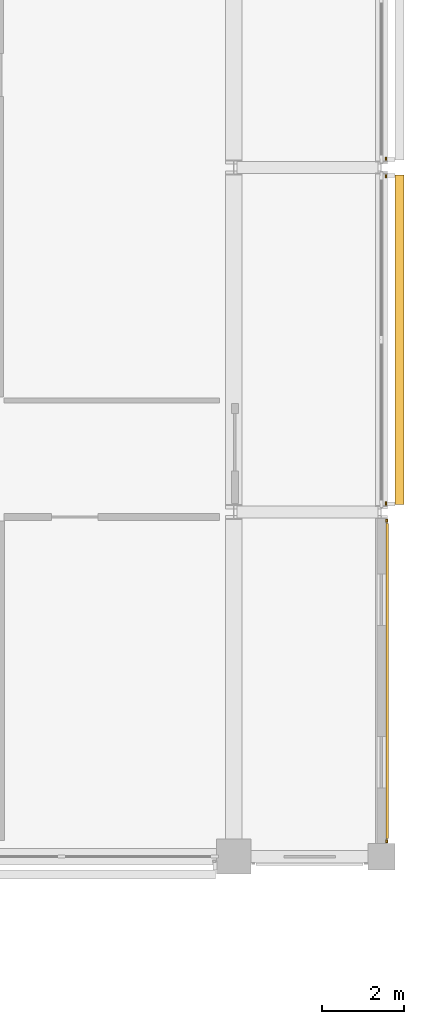
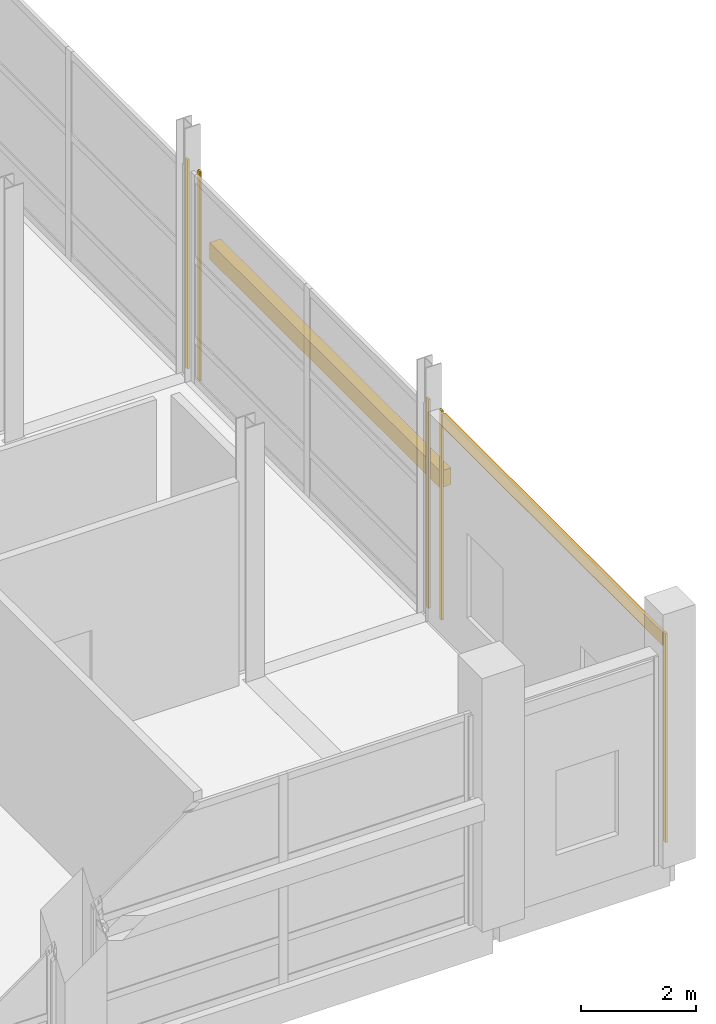
# One storey, part 136 of 140: 6 coverings, 1 shading device.
"""IFC4 building model written with IfcOpenShell, lengths in metres."""

import ifcopenshell
import ifcopenshell.guid

model = None  # the IFC model being written
_history = None  # IfcOwnerHistory: only IFC2X3 demands one
_inside = {}  # id of a spatial element -> (the spatial element, [elements in it])
_under = {}  # id of a project, library or spatial element -> (it, [spatial elements below it])
_declared = {}  # id of a project -> (the project, [libraries it declares])
_typed = {}  # id of a type object -> (the type object, [elements of that type])
_made_of = {}  # id of a material, layer set ... -> (it, [elements and type objects made of it])


def new_model(schema):
    """Start an empty IFC model of exactly this schema.

    Asked for "IFC4X3", IfcOpenShell would pick the latest addendum, in which some entities
    have other attributes; the version numbers below select the first issue.
    IFC2X3 requires an IfcOwnerHistory on every rooted entity: one is made here for all.
    """
    global model, _history
    if schema == "IFC4X3":
        model = ifcopenshell.file(schema_version=(4, 3, 0, 0))
    else:
        model = ifcopenshell.file(schema=schema)
    _inside.clear()
    _under.clear()
    _declared.clear()
    _typed.clear()
    _made_of.clear()
    _history = None
    if model.schema == "IFC2X3":
        org = make("IfcOrganization", Name="unknown")
        user = make(
            "IfcPersonAndOrganization",
            ThePerson=make("IfcPerson", FamilyName="unknown"),
            TheOrganization=org,
        )
        app = make(
            "IfcApplication",
            ApplicationDeveloper=org,
            Version="unknown",
            ApplicationFullName="unknown",
            ApplicationIdentifier="unknown",
        )
        _history = make(
            "IfcOwnerHistory",
            OwningUser=user,
            OwningApplication=app,
            ChangeAction="ADDED",
            CreationDate=0,
        )
    return model


def make(cls, **values):
    """One entity of the class cls with the attributes given. An attribute that is None is left unset."""
    return model.create_entity(
        cls, **{name: value for name, value in values.items() if value is not None}
    )


def rooted(cls, **values):
    """An entity with a GlobalId (a new one), such as an element, a storey or a relation."""
    return make(cls, GlobalId=ifcopenshell.guid.new(), OwnerHistory=_history, **values)


def si_unit(unit_type, name, prefix=None):
    """IfcSIUnit, for example si_unit("LENGTHUNIT", "METRE", prefix="MILLI")."""
    return make("IfcSIUnit", UnitType=unit_type, Prefix=prefix, Name=name)


def assignment(units):
    """IfcUnitAssignment: the units of a project."""
    return None if units is None else make("IfcUnitAssignment", Units=units)


def point(xyz):
    """IfcCartesianPoint."""
    return None if xyz is None else make("IfcCartesianPoint", Coordinates=xyz)


def direction(xyz):
    """IfcDirection."""
    return None if xyz is None else make("IfcDirection", DirectionRatios=xyz)


def frame(location, z_axis=None, x_axis=None):
    """IfcAxis2Placement3D, a coordinate frame: its origin and axes. An axis left out is left unset."""
    return make(
        "IfcAxis2Placement3D",
        Location=point(location),
        Axis=direction(z_axis),
        RefDirection=direction(x_axis),
    )


def frame_2d(location, x_axis=None):
    """IfcAxis2Placement2D, a coordinate frame in the plane: its origin and x axis."""
    return make(
        "IfcAxis2Placement2D", Location=point(location), RefDirection=direction(x_axis)
    )


def origin():
    """The frame at (0, 0, 0) with its axes left unset."""
    return frame((0.0, 0.0, 0.0))


def origin_2d():
    """The frame at (0, 0) in the plane with its x axis left unset."""
    return frame_2d((0.0, 0.0))


def place(relative_to, where):
    """IfcLocalPlacement: puts the frame where relative to a parent placement (None: the world)."""
    return make(
        "IfcLocalPlacement", PlacementRelTo=relative_to, RelativePlacement=where
    )


def context(
    kind, dimensions, precision=None, world=None, true_north=None, identifier=None
):
    """IfcGeometricRepresentationContext, for example the 3D "Model" context."""
    return make(
        "IfcGeometricRepresentationContext",
        ContextIdentifier=identifier,
        ContextType=kind,
        CoordinateSpaceDimension=dimensions,
        Precision=precision,
        WorldCoordinateSystem=world,
        TrueNorth=true_north,
    )


def subcontext(parent, identifier, kind, view, scale=None):
    """IfcGeometricRepresentationSubContext, for example "Body" below "Model"."""
    return make(
        "IfcGeometricRepresentationSubContext",
        ContextIdentifier=identifier,
        ContextType=kind,
        ParentContext=parent,
        TargetScale=scale,
        TargetView=view,
    )


def project(units=None, contexts=None):
    """IfcProject with its units and contexts."""
    return rooted(
        "IfcProject",
        Name="project",
        RepresentationContexts=contexts,
        UnitsInContext=assignment(units),
    )


def spatial(cls, under=None, at=None, **own):
    """A site, building, storey or space (cls), placed at a placement, below another one or the project."""
    s = rooted(cls, ObjectPlacement=at, **own)
    if under is not None:
        _under.setdefault(under.id(), (under, []))[1].append(s)
    return s


def profile(cls, at=None, kind="AREA", **sizes):
    """A parametric profile (cls). Its sizes go by their IFC names, for example OverallWidth=200.0."""
    return make(cls, ProfileType=kind, Position=at, **sizes)


def rectangle(**sizes):
    """IfcRectangleProfileDef."""
    return profile("IfcRectangleProfileDef", **sizes)


def extrude(swept, where, along, depth):
    """IfcExtrudedAreaSolid: the profile swept, set in the frame where, extruded along a direction by depth."""
    return make(
        "IfcExtrudedAreaSolid",
        SweptArea=swept,
        Position=where,
        ExtrudedDirection=direction(along),
        Depth=depth,
    )


def shape(context_of_items, identifier, shape_type, items):
    """IfcShapeRepresentation: the items that make up one representation, for example the "Body"."""
    return make(
        "IfcShapeRepresentation",
        ContextOfItems=context_of_items,
        RepresentationIdentifier=identifier,
        RepresentationType=shape_type,
        Items=items,
    )


def material(Name=None, Category=None):
    """IfcMaterial."""
    return make("IfcMaterial", Name=Name, Category=Category)


def layer(
    of_material, thickness, ventilated=None, Name=None, Category=None, Priority=None
):
    """IfcMaterialLayer: one layer of a wall or slab, of a material (None: an air gap)."""
    return make(
        "IfcMaterialLayer",
        Material=of_material,
        LayerThickness=thickness,
        IsVentilated=ventilated,
        Name=Name,
        Category=Category,
        Priority=Priority,
    )


def layer_set(layers, Name=None):
    """IfcMaterialLayerSet."""
    return make("IfcMaterialLayerSet", MaterialLayers=layers, LayerSetName=Name)


def made_of(thing, what):
    """Note that an element or type object is made of a material, layer set ...; save() writes the relation."""
    if what is not None:
        _made_of.setdefault(what.id(), (what, []))[1].append(thing)
    return thing


def type_object(cls, material=None, **own):
    """A type object (cls), such as IfcWallType, which elements share."""
    return made_of(rooted(cls, **own), material)


def element(
    cls,
    number,
    at=None,
    inside=None,
    cuts=None,
    type_object=None,
    material=None,
    context=None,
    identifier="Body",
    shape_type=None,
    held_by="IfcProductDefinitionShape",
    body=None,
    shapes=None,
    **own,
):
    """One element of the class cls, such as IfcWall. Its Tag is "e" and its number.

    at: its placement. inside: the storey or other place that contains it. cuts: it is an
    opening in that element (IfcRelVoidsElement). A single representation is given by context,
    identifier, shape_type and body (its items); several are given by shapes. held_by: the class
    of the entity that holds the representations. save() writes the other relations.
    """
    e = rooted(cls, Tag="e%d" % number, ObjectPlacement=at, **own)
    if body is not None:
        shapes = [shape(context, identifier, shape_type, body)]
    if shapes is not None:
        e.Representation = make(held_by, Representations=shapes)
    if inside is not None:
        _inside.setdefault(inside.id(), (inside, []))[1].append(e)
    if cuts is not None:
        rooted(
            "IfcRelVoidsElement", RelatingBuildingElement=cuts, RelatedOpeningElement=e
        )
    if type_object is not None:
        _typed.setdefault(type_object.id(), (type_object, []))[1].append(e)
    return made_of(e, material)


def aggregate(whole, parts):
    """IfcRelAggregates: a whole, such as a stair, and the parts it consists of."""
    return rooted("IfcRelAggregates", RelatingObject=whole, RelatedObjects=parts)


def save(model, path):
    """Write the relations noted so far, then the file.

    IfcRelAggregates (storeys below a building ...), IfcRelContainedInSpatialStructure (elements
    in a storey), IfcRelDefinesByType, IfcRelAssociatesMaterial and IfcRelDeclares: one each for
    every whole, place, type object, material and project.
    """
    for whole, parts in _under.values():
        aggregate(whole, parts)
    for where, things in _inside.values():
        rooted(
            "IfcRelContainedInSpatialStructure",
            RelatedElements=things,
            RelatingStructure=where,
        )
    for kind, things in _typed.values():
        rooted("IfcRelDefinesByType", RelatedObjects=things, RelatingType=kind)
    for what, things in _made_of.values():
        rooted("IfcRelAssociatesMaterial", RelatedObjects=things, RelatingMaterial=what)
    for by, libraries in _declared.values():
        rooted("IfcRelDeclares", RelatingContext=by, RelatedDefinitions=libraries)
    model.write(path)


model = new_model("IFC4")

# Units and contexts
model_context = context("Model", 3, precision=1e-05, world=origin(), true_north=direction((0.0, 1.0)))
body_context = subcontext(model_context, "Body", "Model", "MODEL_VIEW")
ifc_project = project(units=[si_unit("LENGTHUNIT", "METRE"), si_unit("AREAUNIT", "SQUARE_METRE"), si_unit("VOLUMEUNIT", "CUBIC_METRE"), si_unit("PLANEANGLEUNIT", "RADIAN"), si_unit("MASSUNIT", "GRAM", prefix="KILO")], contexts=[model_context])

# Site, building, storey
site_placement = place(None, origin())
site = spatial("IfcSite", under=ifc_project, at=site_placement, CompositionType="ELEMENT")
building_placement = place(site_placement, origin())
building = spatial("IfcBuilding", under=site, at=building_placement, Name="Telukmera Botanical Conservatory", CompositionType="ELEMENT")
storey_placement = place(building_placement, origin())
storey = spatial("IfcBuildingStorey", under=building, at=storey_placement, Name="L00", CompositionType="ELEMENT", Elevation=0.0)

# Coverings
ifc_material_1 = material(Name="Granite-faced precast concrete C40/50", Category="masonry")
ifc_layer_1 = layer(ifc_material_1, 0.0400390625)
ifc_layer_set_1 = layer_set([ifc_layer_1], Name="Granite-faced precast concrete C40/50")
covering_type_1 = type_object("IfcCoveringType", Name="Granite Precast Column Pier Reveal Casing", PredefinedType="CLADDING", material=ifc_layer_set_1)
for number, where, z_axis, x_axis, name in (
    (1, (171.72998046875, 17.97705078125, 0.0), (0.0, 0.0, 1.0), (0.0, 1.0, 0.0), "Granite Pier Reveal V1:L00:E1 L"),
    (2, (171.72998046875, 25.78759765625, 0.0), (0.0, 0.0, 1.0), (0.0, 1.0, 0.0), "Granite Pier Reveal V1:L00:E1 R"),
    (3, (171.7099609375, 26.21240234375, 0.0), (0.0, 0.0, 1.0), (0.0, 1.0, 0.0), "Granite Pier Reveal V1:L00:E2 L"),
    (4, (171.7099609375, 34.187744140625, 0.0), (0.0, 0.0, 1.0), (0.0, 1.0, 0.0), "Granite Pier Reveal V1:L00:E2 R"),
    (5, (171.7099609375, 34.6123046875, 0.0), (0.0, 0.0, 1.0), (0.0, 1.0, 0.0), "Granite Pier Reveal V1:L00:E3 L"),
):
    element("IfcCovering", number, at=place(storey_placement, frame(where, z_axis=z_axis, x_axis=x_axis)), inside=storey, type_object=covering_type_1, Name=name, PredefinedType="CLADDING", context=body_context, shape_type="SweptSolid", body=[
        extrude(rectangle(XDim=0.080078125, YDim=0.0400390625, at=origin_2d()), origin(), (0.0, 0.0, 1.0), 4.449951171875),
    ])

# Shading device
ifc_material_2 = material(Name="Perforated terracotta-anodised aluminium 6063-T6", Category="masonry")
ifc_layer_2 = layer(ifc_material_2, 0.050048828125)
ifc_layer_set_2 = layer_set([ifc_layer_2], Name="Perforated terracotta-anodised aluminium 6063-T6")
shading_device_type = type_object("IfcShadingDeviceType", Name="Operable Monsoon Solar Louvre Shutter Bank", PredefinedType="SHUTTER", material=ifc_layer_set_2)
shading_device_placement = place(storey_placement, frame((172.0400390625, 30.199951171875, 2.4697265625), z_axis=(0.0, 0.0, 1.0), x_axis=(0.0, 1.0, 0.0)))
element("IfcShadingDevice", 6, at=shading_device_placement, inside=storey, type_object=shading_device_type, Name="Monsoon Shading SH01 V1:L00:E2", PredefinedType="SHUTTER", context=body_context, shape_type="SweptSolid", body=[
    extrude(rectangle(XDim=8.035400390625, YDim=0.219970703125, at=origin_2d()), origin(), (0.0, 0.0, 1.0), 0.360107421875),
])

# Covering
ifc_material_3 = material(Name="Terracotta-faced precast concrete C40/50", Category="masonry")
ifc_layer_3 = layer(ifc_material_3, 0.06005859375)
ifc_layer_set_3 = layer_set([ifc_layer_3], Name="Terracotta-faced precast concrete C40/50")
covering_type_2 = type_object("IfcCoveringType", Name="Polychrome Terracotta Facade Band Cladding", PredefinedType="CLADDING", material=ifc_layer_set_3)
covering_placement = place(storey_placement, frame((171.739990234375, 21.88232421875, 4.1298828125), z_axis=(0.0, 0.0, 1.0), x_axis=(0.0, 1.0, 0.0)))
element("IfcCovering", 7, at=covering_placement, inside=storey, type_object=covering_type_2, Name="Polychrome Terracotta Band V1:L00:E1", PredefinedType="CLADDING", context=body_context, shape_type="SweptSolid", body=[
    extrude(rectangle(XDim=7.670654296875, YDim=0.06005859375, at=origin_2d()), origin(), (0.0, 0.0, 1.0), 0.280029296875),
])

save(model, "model.ifc")
